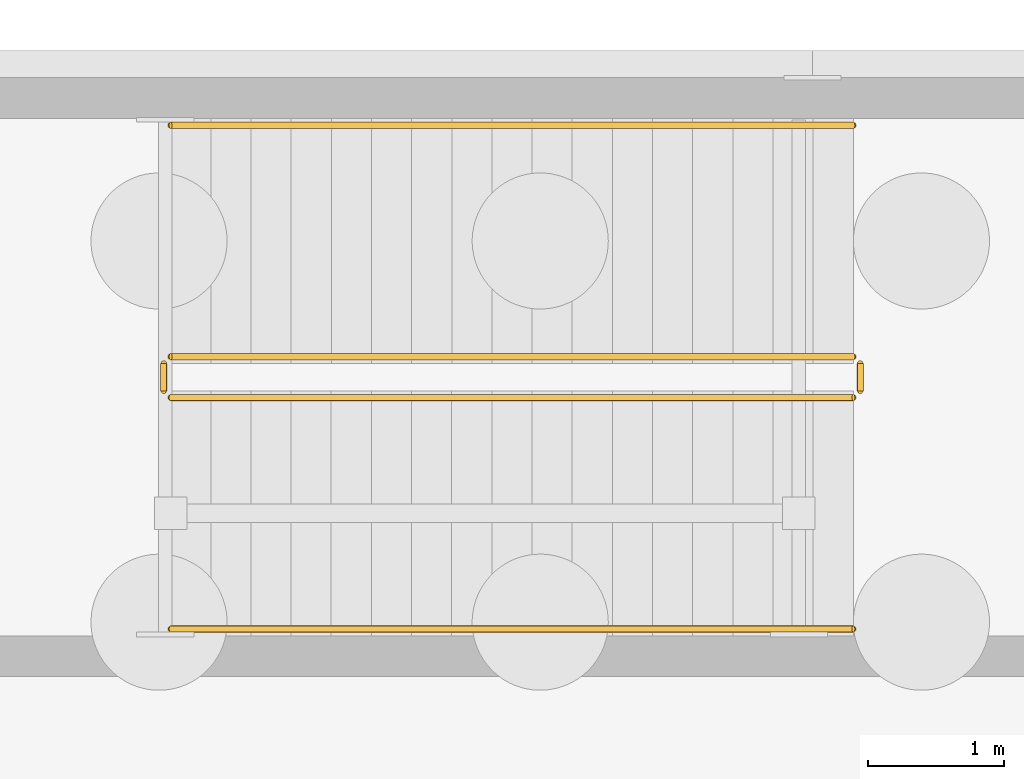
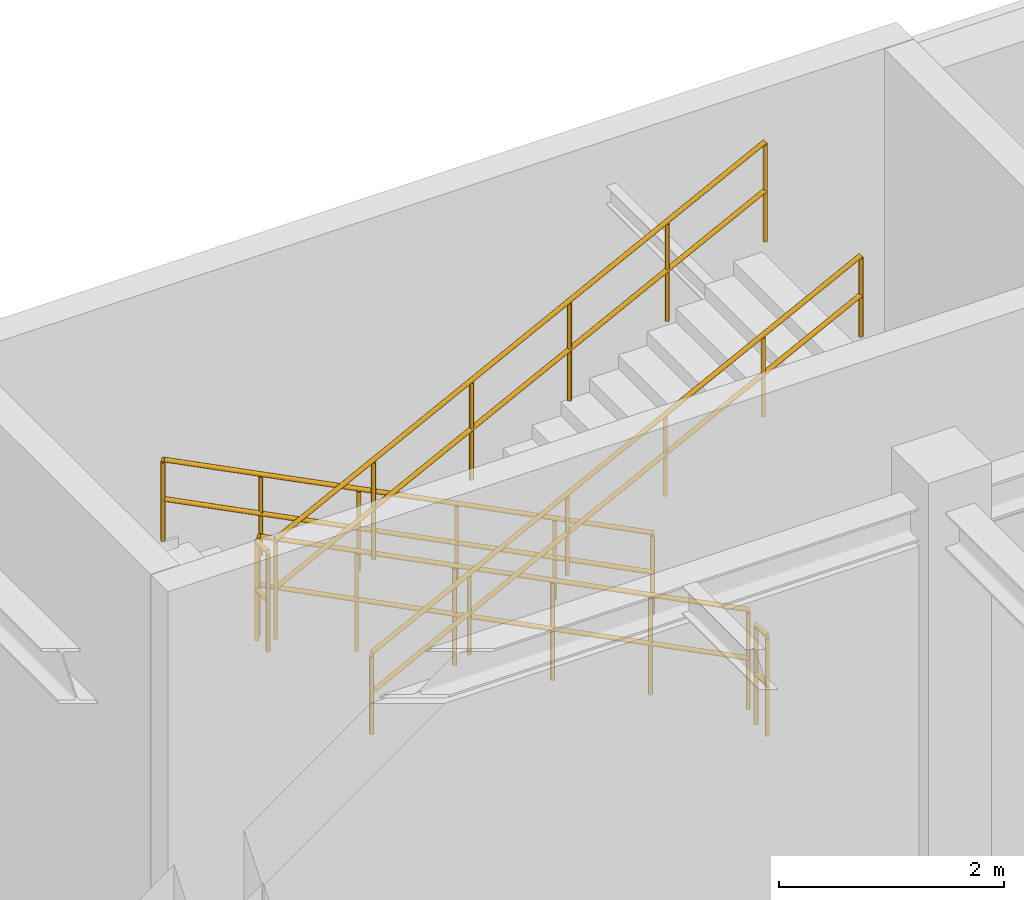
# One storey, part 70 of 71: 6 railings.
"""IFC4 building model written with IfcOpenShell, lengths in metres."""

from ifc_helpers import new_model, si_unit, direction, frame, origin, origin_2d, place, context, subcontext, project, spatial, circle, extrude, material, type_object, element, save


model = new_model("IFC4")

# Units and contexts
model_context = context("Model", 3, precision=1e-05, world=origin(), true_north=direction((0.0, 1.0)))
body_context = subcontext(model_context, "Body", "Model", "MODEL_VIEW")
ifc_project = project(units=[si_unit("LENGTHUNIT", "METRE"), si_unit("AREAUNIT", "SQUARE_METRE"), si_unit("VOLUMEUNIT", "CUBIC_METRE"), si_unit("PLANEANGLEUNIT", "RADIAN"), si_unit("MASSUNIT", "GRAM", prefix="KILO")], contexts=[model_context])

# Site, building, storey
site_placement = place(None, origin())
site = spatial("IfcSite", under=ifc_project, at=site_placement, CompositionType="ELEMENT")
building_placement = place(site_placement, origin())
building = spatial("IfcBuilding", under=site, at=building_placement, Name="Sundkrona Museum", CompositionType="ELEMENT")
storey_placement = place(building_placement, frame((0.0, 0.0, -5.39990234375)))
storey = spatial("IfcBuildingStorey", under=building, at=storey_placement, Name="B1", CompositionType="ELEMENT", Elevation=-5.39990234375)

# Railings
ifc_material_1 = material(Name="Painted Steel S355J2 and Laminated Glass Balustrade", Category="steel")
railing_type_1 = type_object("IfcRailingType", Name="RL-GUARD-1100", PredefinedType="BALUSTRADE", material=ifc_material_1)
railing_1_placement = place(storey_placement, frame((144.300048828125, 111.949951171875, 0.14990234375)))
element("IfcRailing", 1, at=railing_1_placement, inside=storey, type_object=railing_type_1, Name="B1 ST-5 stair guard 1", PredefinedType="BALUSTRADE", context=body_context, shape_type="SweptSolid", body=[
    extrude(circle(Radius=0.02392578125, at=origin_2d()), frame((0.0, 0.0, 1.076171875), z_axis=(-0.891386615937, 0.0, 0.453243754428), x_axis=(0.0, -1.0, 0.0)), (0.0, 0.0, 1.0), 5.626220703125),
    extrude(circle(Radius=0.02392578125, at=origin_2d()), frame((0.0, 0.0, 0.550048828125), z_axis=(-0.891386615937, 0.0, 0.453243754428), x_axis=(0.0, -1.0, 0.0)), (0.0, 0.0, 1.0), 5.626220703125),
    extrude(circle(Radius=0.02099609375, at=origin_2d()), origin(), (0.0, 0.0, 1.0), 1.052001953125),
    extrude(circle(Radius=0.02099609375, at=origin_2d()), frame((-1.0029296875, 0.0, 0.510009765625)), (0.0, 0.0, 1.0), 1.052001953125),
    extrude(circle(Radius=0.02099609375, at=origin_2d()), frame((-2.006103515625, 0.0, 1.02001953125)), (0.0, 0.0, 1.0), 1.052001953125),
    extrude(circle(Radius=0.02099609375, at=origin_2d()), frame((-3.009033203125, 0.0, 1.530029296875)), (0.0, 0.0, 1.0), 1.052001953125),
    extrude(circle(Radius=0.02099609375, at=origin_2d()), frame((-4.01220703125, 0.0, 2.0400390625)), (0.0, 0.0, 1.0), 1.052001953125),
    extrude(circle(Radius=0.02099609375, at=origin_2d()), frame((-5.01513671875, 0.0, 2.550048828125)), (0.0, 0.0, 1.0), 1.052001953125),
])
railing_2_placement = place(storey_placement, frame((139.235107421875, 111.89990234375, 2.699951171875)))
element("IfcRailing", 2, at=railing_2_placement, inside=storey, type_object=railing_type_1, Name="B1 ST-5 stair guard 2", PredefinedType="BALUSTRADE", context=body_context, shape_type="SweptSolid", body=[
    extrude(circle(Radius=0.02392578125, at=origin_2d()), frame((0.0, 0.0, 1.076171875), z_axis=(0.0, -1.0, 0.0), x_axis=(1.0, 0.0, 0.0)), (0.0, 0.0, 1.0), 0.199951171875),
    extrude(circle(Radius=0.02392578125, at=origin_2d()), frame((0.0, 0.0, 0.550048828125), z_axis=(0.0, -1.0, 0.0), x_axis=(1.0, 0.0, 0.0)), (0.0, 0.0, 1.0), 0.199951171875),
    extrude(circle(Radius=0.02099609375, at=origin_2d()), origin(), (0.0, 0.0, 1.0), 1.052001953125),
    extrude(circle(Radius=0.02099609375, at=origin_2d()), frame((0.0, -0.199951171875, 0.0)), (0.0, 0.0, 1.0), 1.052001953125),
])
railing_3_placement = place(storey_placement, frame((139.284912109375, 111.64990234375, 2.849853515625)))
element("IfcRailing", 3, at=railing_3_placement, inside=storey, type_object=railing_type_1, Name="B1 ST-5 stair guard 3", PredefinedType="BALUSTRADE", context=body_context, shape_type="SweptSolid", body=[
    extrude(circle(Radius=0.02392578125, at=origin_2d()), frame((0.0, 0.0, 1.076171875), z_axis=(0.891386615937, 0.0, 0.453243754428), x_axis=(0.0, 1.0, 0.0)), (0.0, 0.0, 1.0), 5.626220703125),
    extrude(circle(Radius=0.02392578125, at=origin_2d()), frame((0.0, 0.0, 0.550048828125), z_axis=(0.891386615937, 0.0, 0.453243754428), x_axis=(0.0, 1.0, 0.0)), (0.0, 0.0, 1.0), 5.626220703125),
    extrude(circle(Radius=0.02099609375, at=origin_2d()), origin(), (0.0, 0.0, 1.0), 1.052001953125),
    extrude(circle(Radius=0.02099609375, at=origin_2d()), frame((1.0029296875, 0.0, 0.510009765625)), (0.0, 0.0, 1.0), 1.052001953125),
    extrude(circle(Radius=0.02099609375, at=origin_2d()), frame((2.006103515625, 0.0, 1.02001953125)), (0.0, 0.0, 1.0), 1.052001953125),
    extrude(circle(Radius=0.02099609375, at=origin_2d()), frame((3.009033203125, 0.0, 1.530029296875)), (0.0, 0.0, 1.0), 1.052001953125),
    extrude(circle(Radius=0.02099609375, at=origin_2d()), frame((4.01220703125, 0.0, 2.0400390625)), (0.0, 0.0, 1.0), 1.052001953125),
    extrude(circle(Radius=0.02099609375, at=origin_2d()), frame((5.01513671875, 0.0, 2.550048828125)), (0.0, 0.0, 1.0), 1.052001953125),
])
railing_4_placement = place(storey_placement, frame((144.35009765625, 111.89990234375, 0.0)))
element("IfcRailing", 4, at=railing_4_placement, inside=storey, type_object=railing_type_1, Name="B1 ST-5 stair guard 4", PredefinedType="BALUSTRADE", context=body_context, shape_type="SweptSolid", body=[
    extrude(circle(Radius=0.02392578125, at=origin_2d()), frame((0.0, 0.0, 1.076171875), z_axis=(0.0, -1.0, 0.0), x_axis=(1.0, 0.0, 0.0)), (0.0, 0.0, 1.0), 0.199951171875),
    extrude(circle(Radius=0.02392578125, at=origin_2d()), frame((0.0, 0.0, 0.550048828125), z_axis=(0.0, -1.0, 0.0), x_axis=(1.0, 0.0, 0.0)), (0.0, 0.0, 1.0), 0.199951171875),
    extrude(circle(Radius=0.02099609375, at=origin_2d()), origin(), (0.0, 0.0, 1.0), 1.052001953125),
    extrude(circle(Radius=0.02099609375, at=origin_2d()), frame((0.0, -0.199951171875, 0.0)), (0.0, 0.0, 1.0), 1.052001953125),
])
ifc_material_2 = material(Name="Brushed Bronze-Clad Steel Handrail", Category="steel")
railing_type_2 = type_object("IfcRailingType", Name="RL-HAND-900", PredefinedType="HANDRAIL", material=ifc_material_2)
railing_5_placement = place(storey_placement, frame((144.300048828125, 113.64990234375, 0.14990234375)))
element("IfcRailing", 5, at=railing_5_placement, inside=storey, type_object=railing_type_2, Name="B1 ST-5 stair handrail 1", PredefinedType="HANDRAIL", context=body_context, shape_type="SweptSolid", body=[
    extrude(circle(Radius=0.02392578125, at=origin_2d()), frame((0.0, 0.0, 0.8759765625), z_axis=(-0.891386615937, 0.0, 0.453243754428), x_axis=(0.0, -1.0, 0.0)), (0.0, 0.0, 1.0), 5.626220703125),
    extrude(circle(Radius=0.02392578125, at=origin_2d()), frame((0.0, 0.0, 0.449951171875), z_axis=(-0.891386615937, 0.0, 0.453243754428), x_axis=(0.0, -1.0, 0.0)), (0.0, 0.0, 1.0), 5.626220703125),
    extrude(circle(Radius=0.02099609375, at=origin_2d()), origin(), (0.0, 0.0, 1.0), 0.851806640625),
    extrude(circle(Radius=0.02099609375, at=origin_2d()), frame((-1.0029296875, 0.0, 0.510009765625)), (0.0, 0.0, 1.0), 0.851806640625),
    extrude(circle(Radius=0.02099609375, at=origin_2d()), frame((-2.006103515625, 0.0, 1.02001953125)), (0.0, 0.0, 1.0), 0.851806640625),
    extrude(circle(Radius=0.02099609375, at=origin_2d()), frame((-3.009033203125, 0.0, 1.530029296875)), (0.0, 0.0, 1.0), 0.851806640625),
    extrude(circle(Radius=0.02099609375, at=origin_2d()), frame((-4.01220703125, 0.0, 2.0400390625)), (0.0, 0.0, 1.0), 0.851806640625),
    extrude(circle(Radius=0.02099609375, at=origin_2d()), frame((-5.01513671875, 0.0, 2.550048828125)), (0.0, 0.0, 1.0), 0.851806640625),
])
railing_6_placement = place(storey_placement, frame((139.284912109375, 109.949951171875, 2.849853515625)))
element("IfcRailing", 6, at=railing_6_placement, inside=storey, type_object=railing_type_2, Name="B1 ST-5 stair handrail 2", PredefinedType="HANDRAIL", context=body_context, shape_type="SweptSolid", body=[
    extrude(circle(Radius=0.02392578125, at=origin_2d()), frame((0.0, 0.0, 0.8759765625), z_axis=(0.891386615937, 0.0, 0.453243754428), x_axis=(0.0, 1.0, 0.0)), (0.0, 0.0, 1.0), 5.626220703125),
    extrude(circle(Radius=0.02392578125, at=origin_2d()), frame((0.0, 0.0, 0.449951171875), z_axis=(0.891386615937, 0.0, 0.453243754428), x_axis=(0.0, 1.0, 0.0)), (0.0, 0.0, 1.0), 5.626220703125),
    extrude(circle(Radius=0.02099609375, at=origin_2d()), origin(), (0.0, 0.0, 1.0), 0.851806640625),
    extrude(circle(Radius=0.02099609375, at=origin_2d()), frame((1.0029296875, 0.0, 0.510009765625)), (0.0, 0.0, 1.0), 0.851806640625),
    extrude(circle(Radius=0.02099609375, at=origin_2d()), frame((2.006103515625, 0.0, 1.02001953125)), (0.0, 0.0, 1.0), 0.851806640625),
    extrude(circle(Radius=0.02099609375, at=origin_2d()), frame((3.009033203125, 0.0, 1.530029296875)), (0.0, 0.0, 1.0), 0.851806640625),
    extrude(circle(Radius=0.02099609375, at=origin_2d()), frame((4.01220703125, 0.0, 2.0400390625)), (0.0, 0.0, 1.0), 0.851806640625),
    extrude(circle(Radius=0.02099609375, at=origin_2d()), frame((5.01513671875, 0.0, 2.550048828125)), (0.0, 0.0, 1.0), 0.851806640625),
])

save(model, "model.ifc")
